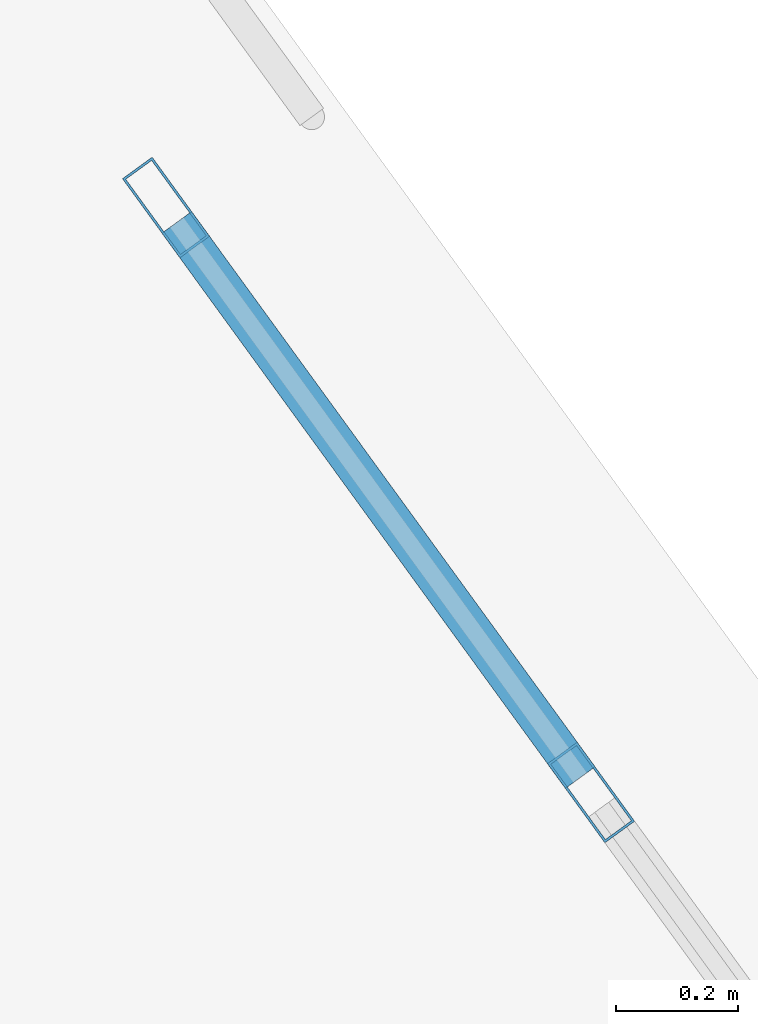
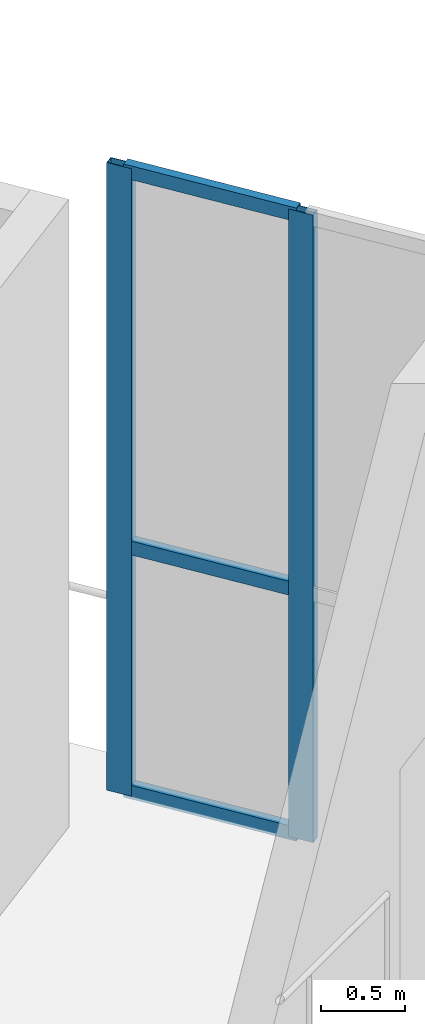
# One storey, part 92 of 182: 5 members, 1 element without a shape of its own.
"""IFC4 building model written with IfcOpenShell, lengths in metres."""

from ifc_helpers import new_model, si_unit, direction, frame, origin, origin_2d, place, context, subcontext, project, spatial, hollow_rectangle, extrude, material, material_profile, profile_set, type_object, element, aggregate, save


model = new_model("IFC4")

# Units and contexts
model_context = context("Model", 3, precision=1e-05, world=origin(), true_north=direction((0.0, 1.0)))
body_context = subcontext(model_context, "Body", "Model", "MODEL_VIEW")
ifc_project = project(units=[si_unit("LENGTHUNIT", "METRE"), si_unit("AREAUNIT", "SQUARE_METRE"), si_unit("VOLUMEUNIT", "CUBIC_METRE"), si_unit("PLANEANGLEUNIT", "RADIAN"), si_unit("MASSUNIT", "GRAM", prefix="KILO")], contexts=[model_context])

# Site, building, storey
site_placement = place(None, origin())
site = spatial("IfcSite", under=ifc_project, at=site_placement, CompositionType="ELEMENT")
building_placement = place(site_placement, origin())
building = spatial("IfcBuilding", under=site, at=building_placement, Name="Okhra Congress Centre", CompositionType="ELEMENT")
storey_placement = place(building_placement, frame((0.0, 0.0, 7.199951171875)))
storey = spatial("IfcBuildingStorey", under=building, at=storey_placement, Name="L01", CompositionType="ELEMENT", Elevation=7.199951171875)

# Curtain wall, members
ifc_material_1 = material(Name="Aluminium curtain wall, triple glazing", Category="aluminium")
curtain_wall_type = type_object("IfcCurtainWallType", Name="Curtain wall 1500 module", PredefinedType="NOTDEFINED", material=ifc_material_1)
curtain_wall_placement = place(storey_placement, origin())
curtain_wall = element("IfcCurtainWall", 1, at=curtain_wall_placement, inside=storey, type_object=curtain_wall_type, Name="Lounge glazing N", PredefinedType="NOTDEFINED")
ifc_material_2 = material(Name="Aluminium alloy EN AW-6063 T66", Category="aluminium")
ifc_material_profile_1 = material_profile(ifc_material_2, hollow_rectangle(XDim=0.06005859375, YDim=0.159912109375, WallThickness=0.00390625, at=origin_2d()), Name="RHS 60x160x4")
ifc_profile_set_1 = profile_set([ifc_material_profile_1], Name="Aluminium alloy EN AW-6063 T66")
member_type_1 = type_object("IfcMemberType", Name="Curtain wall mullion 60x160", PredefinedType="MULLION", material=ifc_profile_set_1)
member_1_placement = place(storey_placement, frame((221.544189453125, 201.631591796875, 0.0), z_axis=(0.0, 0.0, 1.0), x_axis=(-0.809016994283, -0.58778525242, 0.0)))
member_1 = element("IfcMember", 2, at=member_1_placement, type_object=member_type_1, Name="CW7 mullion 2", PredefinedType="MULLION", context=body_context, shape_type="SweptSolid", body=[
    extrude(hollow_rectangle(XDim=0.06005859375, YDim=0.159912109375, WallThickness=0.00390625, at=origin_2d()), origin(), (0.0, 0.0, 1.0), 4.550048828125),
])
member_2_placement = place(storey_placement, frame((220.84912109375, 202.58837890625, 0.0), z_axis=(0.0, 0.0, 1.0), x_axis=(-0.809016994283, -0.58778525242, 0.0)))
member_2 = element("IfcMember", 3, at=member_2_placement, type_object=member_type_1, Name="CW7 mullion 3", PredefinedType="MULLION", context=body_context, shape_type="SweptSolid", body=[
    extrude(hollow_rectangle(XDim=0.06005859375, YDim=0.159912109375, WallThickness=0.00390625, at=origin_2d()), origin(), (0.0, 0.0, 1.0), 4.550048828125),
])
ifc_material_profile_2 = material_profile(ifc_material_2, hollow_rectangle(XDim=0.06005859375, YDim=0.10009765625, WallThickness=0.00390625, at=origin_2d()), Name="RHS 60x100x4")
ifc_profile_set_2 = profile_set([ifc_material_profile_2], Name="Aluminium alloy EN AW-6063 T66")
member_type_2 = type_object("IfcMemberType", Name="Curtain wall transom 60x100", PredefinedType="USERDEFINED", material=ifc_profile_set_2)
member_3_placement = place(storey_placement, frame((221.526611328125, 201.656005859375, 0.030029296875), z_axis=(-0.587925944511, 0.808914756802, 0.0), x_axis=(-0.808914756802, -0.587925944511, 0.0)))
member_3 = element("IfcMember", 4, at=member_3_placement, type_object=member_type_2, Name="CW7 transom 2.1", ObjectType="TRANSOM", PredefinedType="USERDEFINED", context=body_context, shape_type="SweptSolid", body=[
    extrude(hollow_rectangle(XDim=0.06005859375, YDim=0.10009765625, WallThickness=0.00390625, at=origin_2d()), origin(), (0.0, 0.0, 1.0), 1.12255859375),
])
member_4_placement = place(storey_placement, frame((221.526611328125, 201.656005859375, 1.800048828125), z_axis=(-0.587925944511, 0.808914756802, 0.0), x_axis=(-0.808914756802, -0.587925944511, 0.0)))
member_4 = element("IfcMember", 5, at=member_4_placement, type_object=member_type_2, Name="CW7 transom 2.2", ObjectType="TRANSOM", PredefinedType="USERDEFINED", context=body_context, shape_type="SweptSolid", body=[
    extrude(hollow_rectangle(XDim=0.06005859375, YDim=0.10009765625, WallThickness=0.00390625, at=origin_2d()), origin(), (0.0, 0.0, 1.0), 1.12255859375),
])
member_5_placement = place(storey_placement, frame((221.526611328125, 201.656005859375, 4.52001953125), z_axis=(-0.587925944511, 0.808914756802, 0.0), x_axis=(-0.808914756802, -0.587925944511, 0.0)))
member_5 = element("IfcMember", 6, at=member_5_placement, type_object=member_type_2, Name="CW7 transom 2.3", ObjectType="TRANSOM", PredefinedType="USERDEFINED", context=body_context, shape_type="SweptSolid", body=[
    extrude(hollow_rectangle(XDim=0.06005859375, YDim=0.10009765625, WallThickness=0.00390625, at=origin_2d()), origin(), (0.0, 0.0, 1.0), 1.12255859375),
])
aggregate(curtain_wall, [member_1, member_2, member_3, member_4, member_5])

save(model, "model.ifc")
